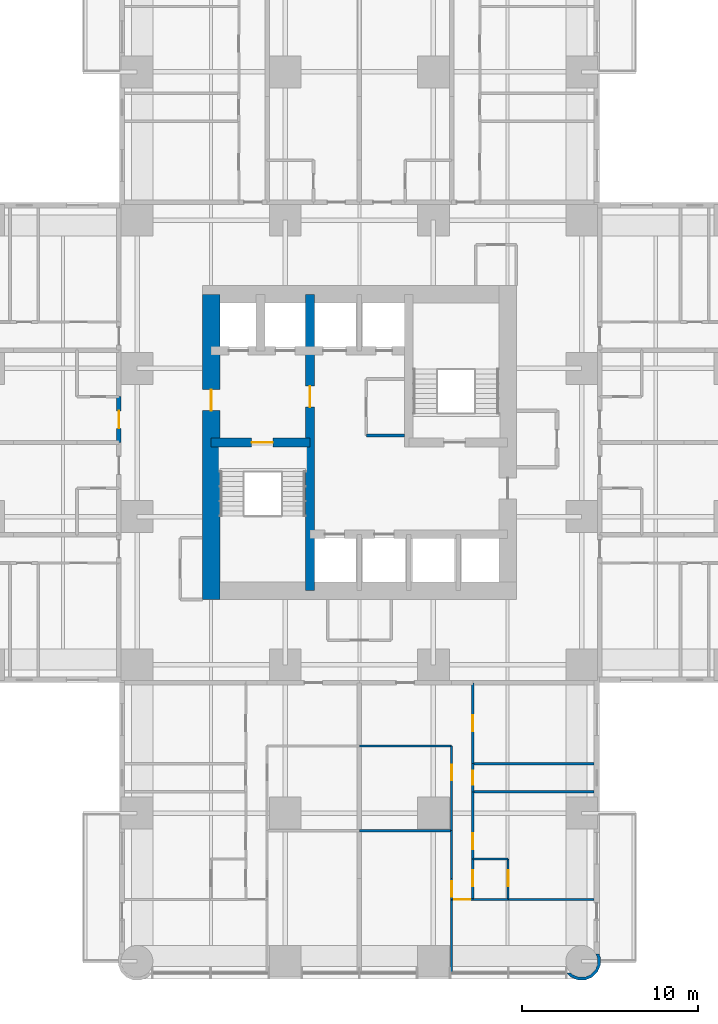
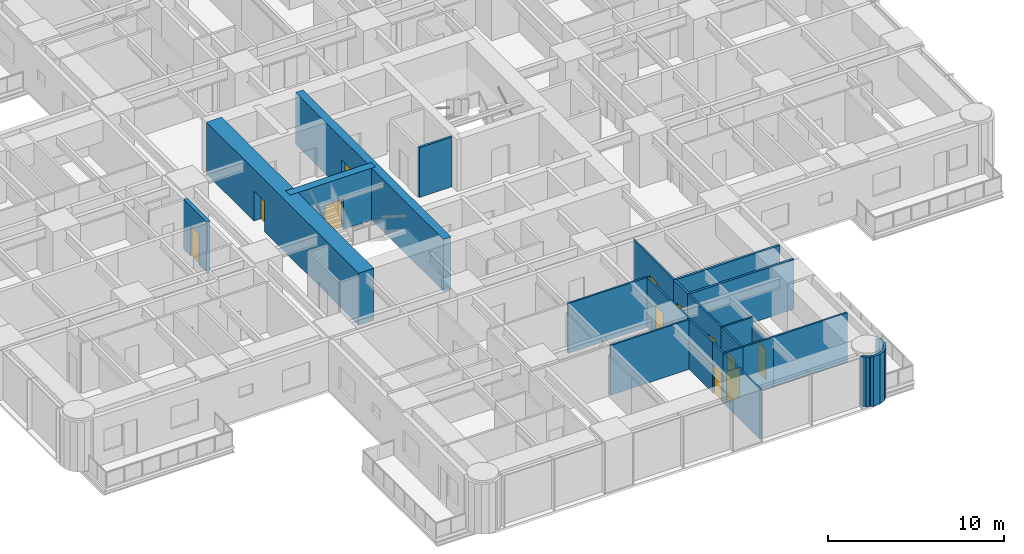
# One storey, part 9 of 17: 23 walls, 12 doors, 12 openings.
"""IFC4 building model written with IfcOpenShell, lengths in metres."""

from ifc_helpers import new_model, si_unit, direction, frame, frame_2d, origin, place, context, subcontext, project, spatial, polyline, rectangle, outline, extrude, material, layer, layer_set, type_object, element, fill, save


model = new_model("IFC4")

# Units and contexts
model_context = context("Model", 3, precision=1e-05, world=origin(), true_north=direction((0.0, 1.0)))
body_context = subcontext(model_context, "Body", "Model", "MODEL_VIEW")
ifc_project = project(units=[si_unit("LENGTHUNIT", "METRE"), si_unit("AREAUNIT", "SQUARE_METRE"), si_unit("VOLUMEUNIT", "CUBIC_METRE"), si_unit("PLANEANGLEUNIT", "RADIAN"), si_unit("MASSUNIT", "GRAM", prefix="KILO")], contexts=[model_context])

# Site, building, storey
site_placement = place(None, origin())
site = spatial("IfcSite", under=ifc_project, at=site_placement, CompositionType="ELEMENT")
building_placement = place(site_placement, origin())
building = spatial("IfcBuilding", under=site, at=building_placement, Name="Torre Alcanfor", CompositionType="ELEMENT")
storey_placement = place(building_placement, frame((0.0, 0.0, 84.89990234375)))
storey = spatial("IfcBuildingStorey", under=building, at=storey_placement, Name="L21", CompositionType="ELEMENT", Elevation=84.89990234375)

# Wall, opening, door
ifc_material_1 = material(Name="Concrete block masonry, hollow blocks NMX-C-404 9 MPa", Category="masonry")
ifc_layer_1 = layer(ifc_material_1, 0.25)
ifc_layer_set_1 = layer_set([ifc_layer_1], Name="Apartment entrance wall 250 EI 60")
wall_type_1 = type_object("IfcWallType", Name="Apartment entrance wall 250 EI 60", PredefinedType="PARTITIONING", material=ifc_layer_set_1)
wall_1_placement = place(storey_placement, frame((15.77490234375, 29.39990234375, 0.0), z_axis=(0.0, 0.0, 1.0), x_axis=(0.0, 1.0, 0.0)))
wall_1 = element("IfcWall", 1, at=wall_1_placement, inside=storey, type_object=wall_type_1, Name="Partition L21-CORR / L21-W2A-FOYER", PredefinedType="PARTITIONING", context=body_context, shape_type="SweptSolid", body=[
    extrude(rectangle(XDim=2.60009765625, YDim=0.25, at=frame_2d((1.300048828125, 0.0))), origin(), (0.0, 0.0, 1.0), 3.4501953125),
])
opening_1_placement = place(wall_1_placement, frame((0.800048828125, 0.0, 0.0)))
opening_1 = element("IfcOpeningElement", 2, at=opening_1_placement, cuts=wall_1, Name="Opening D-A1", PredefinedType="OPENING", context=body_context, shape_type="SweptSolid", body=[
    extrude(rectangle(XDim=1.0, YDim=2.10009765625, at=frame_2d((0.5, 1.050048828125))), frame((0.0, 0.135009765625, 0.0), z_axis=(0.0, -1.0, 0.0), x_axis=(1.0, 0.0, 0.0)), (0.0, 0.0, 1.0), 0.27001953125),
])
ifc_material_2 = material(Name="Galvanised steel sheet ASTM A653", Category="steel")
door_type_1 = type_object("IfcDoorType", Name="Apartment entrance door FD60 1000x2100", OperationType="SINGLE_SWING_LEFT", PredefinedType="DOOR", material=ifc_material_2)
door_1_placement = place(opening_1_placement, origin())
door_1 = element("IfcDoor", 3, at=door_1_placement, inside=storey, type_object=door_type_1, Name="Apartment entrance L21-W2A", OperationType="SINGLE_SWING_LEFT", OverallHeight=2.10009765625, OverallWidth=1.0, PredefinedType="DOOR", context=body_context, shape_type="SweptSolid", body=[
    extrude(rectangle(XDim=1.0, YDim=2.10009765625, at=frame_2d((0.5, 1.050048828125))), frame((0.0, 0.02490234375, 0.0), z_axis=(0.0, -1.0, 0.0), x_axis=(1.0, 0.0, 0.0)), (0.0, 0.0, 1.0), 0.050048828125),
])
fill(opening_1, door_1)

# Walls
ifc_material_3 = material(Name="Gypsum board on steel studs", Category="steel")
ifc_layer_2 = layer(ifc_material_3, 0.1201171875)
ifc_layer_set_2 = layer_set([ifc_layer_2], Name="Apartment partition 120")
wall_type_2 = type_object("IfcWallType", Name="Apartment partition 120", PredefinedType="PARTITIONING", material=ifc_layer_set_2)
for number, where, z_axis, x_axis, name in (
    (4, (29.39990234375, 12.199951171875, 0.0), (0.0, 0.0, 1.0), (1.0, 0.0, 0.0), "Partition L21-S1-ZAG / L21-S1-FAMILY"),
    (5, (29.39990234375, 7.39990234375, 0.0), (0.0, 0.0, 1.0), (1.0, 0.0, 0.0), "Partition L21-S1-FAMILY / L21-S1-KITCHEN"),
):
    element("IfcWall", number, at=place(storey_placement, frame(where, z_axis=z_axis, x_axis=x_axis)), inside=storey, type_object=wall_type_2, Name=name, PredefinedType="PARTITIONING", context=body_context, shape_type="SweptSolid", body=[
        extrude(rectangle(XDim=5.22900390625, YDim=0.1201171875, at=frame_2d((2.614501953125, 0.0))), origin(), (0.0, 0.0, 1.0), 3.4501953125),
    ])

# Wall, opening, door
wall_2_placement = place(storey_placement, frame((34.62890625, 7.39990234375, 0.0), z_axis=(0.0, 0.0, 1.0), x_axis=(0.0, 1.0, 0.0)))
wall_2 = element("IfcWall", 6, at=wall_2_placement, inside=storey, type_object=wall_type_2, Name="Partition L21-S1-FAMILY / L21-S1-HALL", PredefinedType="PARTITIONING", context=body_context, shape_type="SweptSolid", body=[
    extrude(rectangle(XDim=4.800048828125, YDim=0.1201171875, at=frame_2d((2.39990234375, 0.0))), origin(), (0.0, 0.0, 1.0), 3.4501953125),
])
opening_2_placement = place(wall_2_placement, frame((2.85009765625, 0.0, 0.0)))
opening_2 = element("IfcOpeningElement", 7, at=opening_2_placement, cuts=wall_2, Name="Opening D-R1", PredefinedType="OPENING", context=body_context, shape_type="SweptSolid", body=[
    extrude(rectangle(XDim=0.89990234375, YDim=2.10009765625, at=frame_2d((0.449951171875, 1.050048828125))), frame((0.0, 0.070068359375, 0.0), z_axis=(0.0, -1.0, 0.0), x_axis=(1.0, 0.0, 0.0)), (0.0, 0.0, 1.0), 0.14013671875),
])
ifc_material_4 = material(Name="Timber", Category="wood")
door_type_2 = type_object("IfcDoorType", Name="Internal door 900x2100", OperationType="SINGLE_SWING_LEFT", PredefinedType="DOOR", material=ifc_material_4)
door_2_placement = place(opening_2_placement, origin())
door_2 = element("IfcDoor", 8, at=door_2_placement, inside=storey, type_object=door_type_2, Name="Door L21-S1 family", OperationType="SINGLE_SWING_RIGHT", OverallHeight=2.10009765625, OverallWidth=0.89990234375, PredefinedType="DOOR", context=body_context, shape_type="SweptSolid", body=[
    extrude(rectangle(XDim=0.89990234375, YDim=2.10009765625, at=frame_2d((0.449951171875, 1.050048828125))), frame((0.0, 0.02490234375, 0.0), z_axis=(0.0, -1.0, 0.0), x_axis=(1.0, 0.0, 0.0)), (0.0, 0.0, 1.0), 0.050048828125),
])
fill(opening_2, door_2)

# Wall
wall_3_placement = place(storey_placement, frame((34.62890625, 4.699951171875, 0.0), z_axis=(0.0, 0.0, 1.0), x_axis=(0.0, 1.0, 0.0)))
element("IfcWall", 9, at=wall_3_placement, inside=storey, type_object=wall_type_2, Name="Partition L21-S1-KITCHEN / L21-S1-HALL", PredefinedType="PARTITIONING", context=body_context, shape_type="SweptSolid", body=[
    extrude(rectangle(XDim=2.699951171875, YDim=0.1201171875, at=frame_2d((1.35009765625, 0.0))), origin(), (0.0, 0.0, 1.0), 3.4501953125),
])

# Wall, opening, door
wall_4_placement = place(storey_placement, frame((34.62890625, 3.5, 0.0), z_axis=(0.0, 0.0, 1.0), x_axis=(0.0, 1.0, 0.0)))
wall_4 = element("IfcWall", 10, at=wall_4_placement, inside=storey, type_object=wall_type_2, Name="Partition L21-S1-LIVING / L21-S1-HALL", PredefinedType="PARTITIONING", context=body_context, shape_type="SweptSolid", body=[
    extrude(rectangle(XDim=1.199951171875, YDim=0.1201171875, at=frame_2d((0.60009765625, 0.0))), origin(), (0.0, 0.0, 1.0), 3.4501953125),
])
opening_3_placement = place(wall_4_placement, frame((0.14990234375, 0.0, 0.0)))
opening_3 = element("IfcOpeningElement", 11, at=opening_3_placement, cuts=wall_4, Name="Opening D-R1", PredefinedType="OPENING", context=body_context, shape_type="SweptSolid", body=[
    extrude(rectangle(XDim=0.89990234375, YDim=2.10009765625, at=frame_2d((0.449951171875, 1.050048828125))), frame((0.0, 0.070068359375, 0.0), z_axis=(0.0, -1.0, 0.0), x_axis=(1.0, 0.0, 0.0)), (0.0, 0.0, 1.0), 0.14013671875),
])
door_3_placement = place(opening_3_placement, origin())
door_3 = element("IfcDoor", 12, at=door_3_placement, inside=storey, type_object=door_type_2, Name="Door L21-S1 living", OperationType="SINGLE_SWING_RIGHT", OverallHeight=2.10009765625, OverallWidth=0.89990234375, PredefinedType="DOOR", context=body_context, shape_type="SweptSolid", body=[
    extrude(rectangle(XDim=0.89990234375, YDim=2.10009765625, at=frame_2d((0.449951171875, 1.050048828125))), frame((0.0, 0.02490234375, 0.0), z_axis=(0.0, -1.0, 0.0), x_axis=(1.0, 0.0, 0.0)), (0.0, 0.0, 1.0), 0.050048828125),
])
fill(opening_3, door_3)

# Wall
wall_5_placement = place(storey_placement, frame((34.62890625, -0.64990234375, 0.0), z_axis=(0.0, 0.0, 1.0), x_axis=(0.0, 1.0, 0.0)))
element("IfcWall", 13, at=wall_5_placement, inside=storey, type_object=wall_type_2, Name="Partition L21-S1-LIVING / L21-S1-WGARD", PredefinedType="PARTITIONING", context=body_context, shape_type="SweptSolid", body=[
    extrude(rectangle(XDim=4.14990234375, YDim=0.1201171875, at=frame_2d((2.074951171875, 0.0))), origin(), (0.0, 0.0, 1.0), 3.4501953125),
])

# Wall, opening, door
wall_6_placement = place(storey_placement, frame((35.8291015625, 11.199951171875, 0.0), z_axis=(0.0, 0.0, 1.0), x_axis=(0.0, 1.0, 0.0)))
wall_6 = element("IfcWall", 14, at=wall_6_placement, inside=storey, type_object=wall_type_2, Name="Partition L21-S1-HALL / L21-S1-BED2", PredefinedType="PARTITIONING", context=body_context, shape_type="SweptSolid", body=[
    extrude(rectangle(XDim=4.574951171875, YDim=0.1201171875, at=frame_2d((2.28759765625, 0.0))), origin(), (0.0, 0.0, 1.0), 3.4501953125),
])
opening_4_placement = place(wall_6_placement, frame((1.85009765625, 0.0, 0.0)))
opening_4 = element("IfcOpeningElement", 15, at=opening_4_placement, cuts=wall_6, Name="Opening D-R1", PredefinedType="OPENING", context=body_context, shape_type="SweptSolid", body=[
    extrude(rectangle(XDim=0.89990234375, YDim=2.10009765625, at=frame_2d((0.449951171875, 1.050048828125))), frame((0.0, 0.070068359375, 0.0), z_axis=(0.0, -1.0, 0.0), x_axis=(1.0, 0.0, 0.0)), (0.0, 0.0, 1.0), 0.14013671875),
])
door_4_placement = place(opening_4_placement, frame((0.89990234375, 0.0, 0.0), z_axis=(0.0, 0.0, 1.0), x_axis=(-1.0, 0.0, 0.0)))
door_4 = element("IfcDoor", 16, at=door_4_placement, inside=storey, type_object=door_type_2, Name="Door L21-S1 bed2", OperationType="SINGLE_SWING_LEFT", OverallHeight=2.10009765625, OverallWidth=0.89990234375, PredefinedType="DOOR", context=body_context, shape_type="SweptSolid", body=[
    extrude(rectangle(XDim=0.89990234375, YDim=2.10009765625, at=frame_2d((0.449951171875, 1.050048828125))), frame((0.0, 0.025146484375, 0.0), z_axis=(0.0, -1.0, 0.0), x_axis=(1.0, 0.0, 0.0)), (0.0, 0.0, 1.0), 0.050048828125),
])
fill(opening_4, door_4)

wall_7_placement = place(storey_placement, frame((35.8291015625, 5.800048828125, 0.0), z_axis=(0.0, 0.0, 1.0), x_axis=(0.0, 1.0, 0.0)))
wall_7 = element("IfcWall", 17, at=wall_7_placement, inside=storey, type_object=wall_type_2, Name="Partition L21-S1-HALL / L21-S1-MASTER", PredefinedType="PARTITIONING", context=body_context, shape_type="SweptSolid", body=[
    extrude(rectangle(XDim=3.800048828125, YDim=0.1201171875, at=frame_2d((1.89990234375, 0.0))), origin(), (0.0, 0.0, 1.0), 3.4501953125),
])
opening_5_placement = place(wall_7_placement, frame((0.550048828125, 0.0, 0.0)))
opening_5 = element("IfcOpeningElement", 18, at=opening_5_placement, cuts=wall_7, Name="Opening D-R1", PredefinedType="OPENING", context=body_context, shape_type="SweptSolid", body=[
    extrude(rectangle(XDim=0.89990234375, YDim=2.10009765625, at=frame_2d((0.449951171875, 1.050048828125))), frame((0.0, 0.070068359375, 0.0), z_axis=(0.0, -1.0, 0.0), x_axis=(1.0, 0.0, 0.0)), (0.0, 0.0, 1.0), 0.14013671875),
])
door_5_placement = place(opening_5_placement, frame((0.89990234375, 0.0, 0.0), z_axis=(0.0, 0.0, 1.0), x_axis=(-1.0, 0.0, 0.0)))
door_5 = element("IfcDoor", 19, at=door_5_placement, inside=storey, type_object=door_type_2, Name="Door L21-S1 master", OperationType="SINGLE_SWING_RIGHT", OverallHeight=2.10009765625, OverallWidth=0.89990234375, PredefinedType="DOOR", context=body_context, shape_type="SweptSolid", body=[
    extrude(rectangle(XDim=0.89990234375, YDim=2.10009765625, at=frame_2d((0.449951171875, 1.050048828125))), frame((0.0, 0.025146484375, 0.0), z_axis=(0.0, -1.0, 0.0), x_axis=(1.0, 0.0, 0.0)), (0.0, 0.0, 1.0), 0.050048828125),
])
fill(opening_5, door_5)

wall_8_placement = place(storey_placement, frame((35.8291015625, 3.5, 0.0), z_axis=(0.0, 0.0, 1.0), x_axis=(0.0, 1.0, 0.0)))
wall_8 = element("IfcWall", 20, at=wall_8_placement, inside=storey, type_object=wall_type_2, Name="Partition L21-S1-HALL / L21-S1-VEST", PredefinedType="PARTITIONING", context=body_context, shape_type="SweptSolid", body=[
    extrude(rectangle(XDim=2.300048828125, YDim=0.1201171875, at=frame_2d((1.14990234375, 0.0))), origin(), (0.0, 0.0, 1.0), 3.4501953125),
])
opening_6_placement = place(wall_8_placement, frame((0.75, 0.0, 0.0)))
opening_6 = element("IfcOpeningElement", 21, at=opening_6_placement, cuts=wall_8, Name="Opening D-R1", PredefinedType="OPENING", context=body_context, shape_type="SweptSolid", body=[
    extrude(rectangle(XDim=0.89990234375, YDim=2.10009765625, at=frame_2d((0.449951171875, 1.050048828125))), frame((0.0, 0.070068359375, 0.0), z_axis=(0.0, -1.0, 0.0), x_axis=(1.0, 0.0, 0.0)), (0.0, 0.0, 1.0), 0.14013671875),
])
door_6_placement = place(opening_6_placement, frame((0.89990234375, 0.0, 0.0), z_axis=(0.0, 0.0, 1.0), x_axis=(-1.0, 0.0, 0.0)))
door_6 = element("IfcDoor", 22, at=door_6_placement, inside=storey, type_object=door_type_2, Name="Door L21-S1 vest", OperationType="SINGLE_SWING_LEFT", OverallHeight=2.10009765625, OverallWidth=0.89990234375, PredefinedType="DOOR", context=body_context, shape_type="SweptSolid", body=[
    extrude(rectangle(XDim=0.89990234375, YDim=2.10009765625, at=frame_2d((0.449951171875, 1.050048828125))), frame((0.0, 0.025146484375, 0.0), z_axis=(0.0, -1.0, 0.0), x_axis=(1.0, 0.0, 0.0)), (0.0, 0.0, 1.0), 0.050048828125),
])
fill(opening_6, door_6)

wall_9_placement = place(storey_placement, frame((34.62890625, 3.5, 0.0), z_axis=(0.0, 0.0, 1.0), x_axis=(1.0, 0.0, 0.0)))
wall_9 = element("IfcWall", 23, at=wall_9_placement, inside=storey, type_object=wall_type_2, Name="Partition L21-S1-HALL / L21-S1-WGARD", PredefinedType="PARTITIONING", context=body_context, shape_type="SweptSolid", body=[
    extrude(rectangle(XDim=1.2001953125, YDim=0.1201171875, at=frame_2d((0.60009765625, 0.0))), origin(), (0.0, 0.0, 1.0), 3.4501953125),
])
opening_7_placement = place(wall_9_placement, frame((0.15087890625, 0.0, 0.0)))
opening_7 = element("IfcOpeningElement", 24, at=opening_7_placement, cuts=wall_9, Name="Opening D-R1", PredefinedType="OPENING", context=body_context, shape_type="SweptSolid", body=[
    extrude(rectangle(XDim=0.89990234375, YDim=2.10009765625, at=frame_2d((0.449951171875, 1.050048828125))), frame((0.0, 0.070068359375, 0.0), z_axis=(0.0, -1.0, 0.0), x_axis=(1.0, 0.0, 0.0)), (0.0, 0.0, 1.0), 0.14013671875),
])
door_7_placement = place(opening_7_placement, frame((0.89990234375, 0.0, 0.0), z_axis=(0.0, 0.0, 1.0), x_axis=(-1.0, 0.0, 0.0)))
door_7 = element("IfcDoor", 25, at=door_7_placement, inside=storey, type_object=door_type_2, Name="Door L21-S1 wgard", OperationType="SINGLE_SWING_RIGHT", OverallHeight=2.10009765625, OverallWidth=0.89990234375, PredefinedType="DOOR", context=body_context, shape_type="SweptSolid", body=[
    extrude(rectangle(XDim=0.89990234375, YDim=2.10009765625, at=frame_2d((0.449951171875, 1.050048828125))), frame((0.0, 0.025146484375, 0.0), z_axis=(0.0, -1.0, 0.0), x_axis=(1.0, 0.0, 0.0)), (0.0, 0.0, 1.0), 0.050048828125),
])
fill(opening_7, door_7)

wall_10_placement = place(storey_placement, frame((37.8291015625, 3.5, 0.0), z_axis=(0.0, 0.0, 1.0), x_axis=(0.0, 1.0, 0.0)))
wall_10 = element("IfcWall", 26, at=wall_10_placement, inside=storey, type_object=wall_type_2, Name="Partition L21-S1-MASTER / L21-S1-VEST", PredefinedType="PARTITIONING", context=body_context, shape_type="SweptSolid", body=[
    extrude(rectangle(XDim=2.300048828125, YDim=0.1201171875, at=frame_2d((1.14990234375, 0.0))), origin(), (0.0, 0.0, 1.0), 2.84814453125),
])
opening_8_placement = place(wall_10_placement, frame((0.75, 0.0, 0.0)))
opening_8 = element("IfcOpeningElement", 27, at=opening_8_placement, cuts=wall_10, Name="Opening D-R1", PredefinedType="OPENING", context=body_context, shape_type="SweptSolid", body=[
    extrude(rectangle(XDim=0.89990234375, YDim=2.10009765625, at=frame_2d((0.449951171875, 1.050048828125))), frame((0.0, 0.070068359375, 0.0), z_axis=(0.0, -1.0, 0.0), x_axis=(1.0, 0.0, 0.0)), (0.0, 0.0, 1.0), 0.14013671875),
])
door_8_placement = place(opening_8_placement, origin())
door_8 = element("IfcDoor", 28, at=door_8_placement, inside=storey, type_object=door_type_2, Name="Door L21-S1 master", OperationType="SINGLE_SWING_RIGHT", OverallHeight=2.10009765625, OverallWidth=0.89990234375, PredefinedType="DOOR", context=body_context, shape_type="SweptSolid", body=[
    extrude(rectangle(XDim=0.89990234375, YDim=2.10009765625, at=frame_2d((0.449951171875, 1.050048828125))), frame((0.0, 0.02490234375, 0.0), z_axis=(0.0, -1.0, 0.0), x_axis=(1.0, 0.0, 0.0)), (0.0, 0.0, 1.0), 0.050048828125),
])
fill(opening_8, door_8)

# Walls
wall_11_placement = place(storey_placement, frame((37.8291015625, 5.800048828125, 0.0), z_axis=(0.0, 0.0, 1.0), x_axis=(-1.0, 0.0, 0.0)))
element("IfcWall", 29, at=wall_11_placement, inside=storey, type_object=wall_type_2, Name="Partition L21-S1-MASTER / L21-S1-VEST", PredefinedType="PARTITIONING", context=body_context, shape_type="SweptSolid", body=[
    extrude(rectangle(XDim=2.0, YDim=0.1201171875, at=frame_2d((1.0, 0.0))), origin(), (0.0, 0.0, 1.0), 3.4501953125),
])
wall_12_placement = place(storey_placement, frame((42.699951171875, 3.5, 0.0), z_axis=(0.0, 0.0, 1.0), x_axis=(-1.0, 0.0, 0.0)))
element("IfcWall", 30, at=wall_12_placement, inside=storey, type_object=wall_type_2, Name="Partition L21-S1-MASTER / L21-S1-WGARD", PredefinedType="PARTITIONING", context=body_context, shape_type="SweptSolid", body=[
    extrude(rectangle(XDim=4.870849609375, YDim=0.1201171875, at=frame_2d((2.435546875, 0.0))), origin(), (0.0, 0.0, 1.0), 3.4501953125),
])
wall_13_placement = place(storey_placement, frame((35.8291015625, 3.5, 0.0), z_axis=(0.0, 0.0, 1.0), x_axis=(1.0, 0.0, 0.0)))
element("IfcWall", 31, at=wall_13_placement, inside=storey, type_object=wall_type_2, Name="Partition L21-S1-VEST / L21-S1-WGARD", PredefinedType="PARTITIONING", context=body_context, shape_type="SweptSolid", body=[
    extrude(rectangle(XDim=2.0, YDim=0.1201171875, at=frame_2d((1.0, 0.0))), origin(), (0.0, 0.0, 1.0), 3.4501953125),
])

# Wall, opening, door
ifc_material_5 = material(Name="Concrete f'c 70 MPa", Category="concrete")
ifc_layer_3 = layer(ifc_material_5, 0.5)
ifc_layer_set_3 = layer_set([ifc_layer_3], Name="Core inner wall 500 f'c70")
wall_type_3 = type_object("IfcWallType", Name="Core inner wall 500 f'c70", PredefinedType="SHEAR", material=ifc_layer_set_3)
wall_14_placement = place(storey_placement, frame((26.60009765625, 21.0, 0.0), z_axis=(0.0, 0.0, 1.0), x_axis=(0.0, 1.0, 0.0)))
wall_14 = element("IfcWall", 32, at=wall_14_placement, inside=storey, type_object=wall_type_3, Name="Core wall X266 L21", PredefinedType="SHEAR", context=body_context, shape_type="SweptSolid", body=[
    extrude(rectangle(XDim=16.800048828125, YDim=0.5, at=frame_2d((8.39990234375, 0.0))), origin(), (0.0, 0.0, 1.0), 3.60009765625),
])
opening_9_placement = place(wall_14_placement, frame((10.39990234375, 0.0, 0.0)))
opening_9 = element("IfcOpeningElement", 33, at=opening_9_placement, cuts=wall_14, Name="Opening D-L1", PredefinedType="OPENING", context=body_context, shape_type="SweptSolid", body=[
    extrude(rectangle(XDim=1.199951171875, YDim=2.10009765625, at=frame_2d((0.60009765625, 1.050048828125))), frame((0.0, 0.260009765625, 0.0), z_axis=(0.0, -1.0, 0.0), x_axis=(1.0, 0.0, 0.0)), (0.0, 0.0, 1.0), 0.52001953125),
])
ifc_material_6 = material(Name="Galvanised steel sheet ASTM A653", Category="steel")
door_type_3 = type_object("IfcDoorType", Name="Lobby door FD120 1200x2100", OperationType="SINGLE_SWING_LEFT", PredefinedType="DOOR", material=ifc_material_6)
door_9_placement = place(opening_9_placement, origin())
door_9 = element("IfcDoor", 34, at=door_9_placement, inside=storey, type_object=door_type_3, Name="Lift lobby door L21", OperationType="SINGLE_SWING_LEFT", OverallHeight=2.10009765625, OverallWidth=1.199951171875, PredefinedType="DOOR", context=body_context, shape_type="SweptSolid", body=[
    extrude(rectangle(XDim=1.199951171875, YDim=2.10009765625, at=frame_2d((0.60009765625, 1.050048828125))), frame((0.0, 0.02490234375, 0.0), z_axis=(0.0, -1.0, 0.0), x_axis=(1.0, 0.0, 0.0)), (0.0, 0.0, 1.0), 0.050048828125),
])
fill(opening_9, door_9)

wall_15_placement = place(storey_placement, frame((21.0, 29.39990234375, 0.0), z_axis=(0.0, 0.0, 1.0), x_axis=(1.0, 0.0, 0.0)))
wall_15 = element("IfcWall", 35, at=wall_15_placement, inside=storey, type_object=wall_type_3, Name="Core wall Y294W L21", PredefinedType="SHEAR", context=body_context, shape_type="SweptSolid", body=[
    extrude(rectangle(XDim=5.60009765625, YDim=0.5, at=frame_2d((2.800048828125, 0.0))), origin(), (0.0, 0.0, 1.0), 3.60009765625),
])
opening_10_placement = place(wall_15_placement, frame((2.300048828125, 0.0, 0.0)))
opening_10 = element("IfcOpeningElement", 36, at=opening_10_placement, cuts=wall_15, Name="Opening D-S2", PredefinedType="OPENING", context=body_context, shape_type="SweptSolid", body=[
    extrude(rectangle(XDim=1.199951171875, YDim=2.10009765625, at=frame_2d((0.60009765625, 1.050048828125))), frame((0.0, 0.260009765625, 0.0), z_axis=(0.0, -1.0, 0.0), x_axis=(1.0, 0.0, 0.0)), (0.0, 0.0, 1.0), 0.52001953125),
])
ifc_material_7 = material(Name="Galvanised steel sheet ASTM A653", Category="steel")
door_type_4 = type_object("IfcDoorType", Name="Stair enclosure door FD120 1200x2100", OperationType="SINGLE_SWING_LEFT", PredefinedType="DOOR", material=ifc_material_7)
door_10_placement = place(opening_10_placement, frame((1.199951171875, 0.0, 0.0), z_axis=(0.0, 0.0, 1.0), x_axis=(-1.0, 0.0, 0.0)))
door_10 = element("IfcDoor", 37, at=door_10_placement, inside=storey, type_object=door_type_4, Name="Stair S1 door L21", OperationType="SINGLE_SWING_LEFT", OverallHeight=2.10009765625, OverallWidth=1.199951171875, PredefinedType="DOOR", context=body_context, shape_type="SweptSolid", body=[
    extrude(rectangle(XDim=1.199951171875, YDim=2.10009765625, at=frame_2d((0.599853515625, 1.050048828125))), frame((0.0, 0.025146484375, 0.0), z_axis=(0.0, -1.0, 0.0), x_axis=(1.0, 0.0, 0.0)), (0.0, 0.0, 1.0), 0.050048828125),
])
fill(opening_10, door_10)

ifc_material_8 = material(Name="Concrete f'c 70 MPa", Category="concrete")
ifc_layer_4 = layer(ifc_material_8, 1.0)
ifc_layer_set_4 = layer_set([ifc_layer_4], Name="Core wall 1000 f'c70")
wall_type_4 = type_object("IfcWallType", Name="Core wall 1000 f'c70", PredefinedType="SHEAR", material=ifc_layer_set_4)
wall_16_placement = place(storey_placement, frame((21.0, 37.800048828125, 0.0), z_axis=(0.0, 0.0, 1.0), x_axis=(0.0, -1.0, 0.0)))
wall_16 = element("IfcWall", 38, at=wall_16_placement, inside=storey, type_object=wall_type_4, Name="Core wall OUT-W L21", PredefinedType="SHEAR", context=body_context, shape_type="SweptSolid", body=[
    extrude(rectangle(XDim=17.300048828125, YDim=1.0, at=frame_2d((8.64990234375, 0.0))), origin(), (0.0, 0.0, 1.0), 3.60009765625),
])
opening_11_placement = place(wall_16_placement, frame((5.39990234375, 0.0, 0.0)))
opening_11 = element("IfcOpeningElement", 39, at=opening_11_placement, cuts=wall_16, Name="Opening D-L1", PredefinedType="OPENING", context=body_context, shape_type="SweptSolid", body=[
    extrude(rectangle(XDim=1.199951171875, YDim=2.10009765625, at=frame_2d((0.60009765625, 1.050048828125))), frame((0.0, 0.510009765625, 0.0), z_axis=(0.0, -1.0, 0.0), x_axis=(1.0, 0.0, 0.0)), (0.0, 0.0, 1.0), 1.02001953125),
])
door_11_placement = place(opening_11_placement, origin())
door_11 = element("IfcDoor", 40, at=door_11_placement, inside=storey, type_object=door_type_3, Name="Firefighting lobby door L21", OperationType="SINGLE_SWING_LEFT", OverallHeight=2.10009765625, OverallWidth=1.199951171875, PredefinedType="DOOR", context=body_context, shape_type="SweptSolid", body=[
    extrude(rectangle(XDim=1.199951171875, YDim=2.10009765625, at=frame_2d((0.60009765625, 1.050048828125))), frame((0.0, 0.02490234375, 0.0), z_axis=(0.0, -1.0, 0.0), x_axis=(1.0, 0.0, 0.0)), (0.0, 0.0, 1.0), 0.050048828125),
])
fill(opening_11, door_11)

# Walls
ifc_material_9 = material(Name="Concrete block masonry, hollow blocks NMX-C-404 9 MPa", Category="masonry")
ifc_layer_5 = layer(ifc_material_9, 0.14990234375)
ifc_layer_set_5 = layer_set([ifc_layer_5], Name="Residents' room partition 150")
wall_type_5 = type_object("IfcWallType", Name="Residents' room partition 150", PredefinedType="PARTITIONING", material=ifc_layer_set_5)
wall_17_placement = place(storey_placement, frame((31.949951171875, 29.800048828125, 0.0), z_axis=(0.0, 0.0, 1.0), x_axis=(-1.0, 0.0, 0.0)))
element("IfcWall", 41, at=wall_17_placement, inside=storey, type_object=wall_type_5, Name="Partition L21-LL / L21-CR1", PredefinedType="PARTITIONING", context=body_context, shape_type="SweptSolid", body=[
    extrude(rectangle(XDim=2.14990234375, YDim=0.14990234375, at=frame_2d((1.074951171875, 0.0))), origin(), (0.0, 0.0, 1.0), 3.4501953125),
])
ifc_material_10 = material(Name="Limestone cladding", Category="masonry")
ifc_layer_6 = layer(ifc_material_10, 0.0400390625, Name="Facing")
ifc_material_11 = material(Name="Ventilated air cavity")
ifc_layer_7 = layer(ifc_material_11, 0.02001953125, ventilated=True, Name="Ventilated joint")
ifc_material_12 = material(Name="Mineral wool insulation", Category="insulation")
ifc_layer_8 = layer(ifc_material_12, 0.10009765625, Name="Insulation")
ifc_material_13 = material(Name="Concrete f'c 35 MPa", Category="concrete")
ifc_layer_9 = layer(ifc_material_13, 0.139892578125, Name="Backing")
ifc_layer_set_6 = layer_set([ifc_layer_6, ifc_layer_7, ifc_layer_8, ifc_layer_9], Name="Rounded corner pier stone-clad 300")
wall_type_6 = type_object("IfcWallType", Name="Rounded corner pier stone-clad 300", PredefinedType="SOLIDWALL", material=ifc_layer_set_6)
wall_18_placement = place(storey_placement, frame((41.23340608, -0.610519256, 0.0), z_axis=(0.0, 0.0, 1.0), x_axis=(0.377204953059, -0.926129809145, 0.0)))
element("IfcWall", 42, at=wall_18_placement, inside=storey, type_object=wall_type_6, Name="Corner pier L21 16", PredefinedType="SOLIDWALL", context=body_context, shape_type="SweptSolid", body=[
    extrude(outline(polyline([(0.31873169437185855, 1.8425336525024494), (-0.07152710704046505, 2.001482809968314), (-0.24009471588869835, 2.0005449414227563), (-0.26941358666453996, 2.017231322070639), (-0.37003424962124987, 1.840731870737274), (-0.10240281114565264, 1.842182010528029), (0.22952066537421467, 1.7069923447343507), (0.48468330510664415, 1.4551793700683648), (0.6237907271323827, 1.1248909220292227), (0.6256685839754508, 0.7664021208386822), (0.49047891818177247, 0.4344786443188148), (0.23866594351578668, 0.1793160045863853), (0.09016005264750862, 0.11695717207098313), (0.01086965602056237, -0.07772001681430692), (0.024436010646714988, -0.08324547999388505), (0.3295868985749782, 0.04527476829386376), (0.48015223740573765, 0.19747796194128653), (0.49902760591309464, 0.19268993376963664), (0.5075741737852856, 0.2253240824532252), (0.6260202259498713, 0.3452676153211709), (0.7849693834157356, 0.7355264167334946), (0.7824906971943995, 1.1572636358175066), (0.6187245413991658, 1.5461003251275562), (0.31873169437185855, 1.8425336525024494)])), origin(), (0.0, 0.0, 1.0), 3.4501953125),
])

# Wall, opening, door
ifc_material_14 = material(Name="Cement board on steel studs", Category="steel")
ifc_layer_10 = layer(ifc_material_14, 0.14990234375)
ifc_layer_set_7 = layer_set([ifc_layer_10], Name="Wet area partition 150")
wall_type_7 = type_object("IfcWallType", Name="Wet area partition 150", PredefinedType="PARTITIONING", material=ifc_layer_set_7)
wall_19_placement = place(storey_placement, frame((35.8291015625, 9.60009765625, 0.0), z_axis=(0.0, 0.0, 1.0), x_axis=(0.0, 1.0, 0.0)))
wall_19 = element("IfcWall", 43, at=wall_19_placement, inside=storey, type_object=wall_type_7, Name="Partition L21-S1-HALL / L21-S1-BATH1", PredefinedType="PARTITIONING", context=body_context, shape_type="SweptSolid", body=[
    extrude(rectangle(XDim=1.599853515625, YDim=0.14990234375, at=frame_2d((0.7998046875, 0.0))), origin(), (0.0, 0.0, 1.0), 3.4501953125),
])
opening_12_placement = place(wall_19_placement, frame((0.39990234375, 0.0, 0.0)))
opening_12 = element("IfcOpeningElement", 44, at=opening_12_placement, cuts=wall_19, Name="Opening D-R2", PredefinedType="OPENING", context=body_context, shape_type="SweptSolid", body=[
    extrude(rectangle(XDim=0.800048828125, YDim=2.10009765625, at=frame_2d((0.39990234375, 1.050048828125))), frame((0.0, 0.0849609375, 0.0), z_axis=(0.0, -1.0, 0.0), x_axis=(1.0, 0.0, 0.0)), (0.0, 0.0, 1.0), 0.169921875),
])
ifc_material_15 = material(Name="Timber", Category="wood")
door_type_5 = type_object("IfcDoorType", Name="Bathroom door 800x2100", OperationType="SINGLE_SWING_LEFT", PredefinedType="DOOR", material=ifc_material_15)
door_12_placement = place(opening_12_placement, frame((0.800048828125, 0.0, 0.0), z_axis=(0.0, 0.0, 1.0), x_axis=(-1.0, 0.0, 0.0)))
door_12 = element("IfcDoor", 45, at=door_12_placement, inside=storey, type_object=door_type_5, Name="Door L21-S1 bath1", OperationType="SINGLE_SWING_RIGHT", OverallHeight=2.10009765625, OverallWidth=0.800048828125, PredefinedType="DOOR", context=body_context, shape_type="SweptSolid", body=[
    extrude(rectangle(XDim=0.800048828125, YDim=2.10009765625, at=frame_2d((0.400146484375, 1.050048828125))), frame((0.0, 0.025146484375, 0.0), z_axis=(0.0, -1.0, 0.0), x_axis=(1.0, 0.0, 0.0)), (0.0, 0.0, 1.0), 0.050048828125),
])
fill(opening_12, door_12)

# Walls
for number, where, z_axis, x_axis, name in (
    (46, (35.8291015625, 11.199951171875, 0.0), (0.0, 0.0, 1.0), (1.0, 0.0, 0.0), "Partition L21-S1-BED2 / L21-S1-BATH1"),
    (47, (35.8291015625, 9.60009765625, 0.0), (0.0, 0.0, 1.0), (1.0, 0.0, 0.0), "Partition L21-S1-BATH1 / L21-S1-MASTER"),
):
    element("IfcWall", number, at=place(storey_placement, frame(where, z_axis=z_axis, x_axis=x_axis)), inside=storey, type_object=wall_type_7, Name=name, PredefinedType="PARTITIONING", context=body_context, shape_type="SweptSolid", body=[
        extrude(rectangle(XDim=6.870849609375, YDim=0.14990234375, at=frame_2d((3.435546875, 0.0))), origin(), (0.0, 0.0, 1.0), 3.4501953125),
    ])

save(model, "model.ifc")
